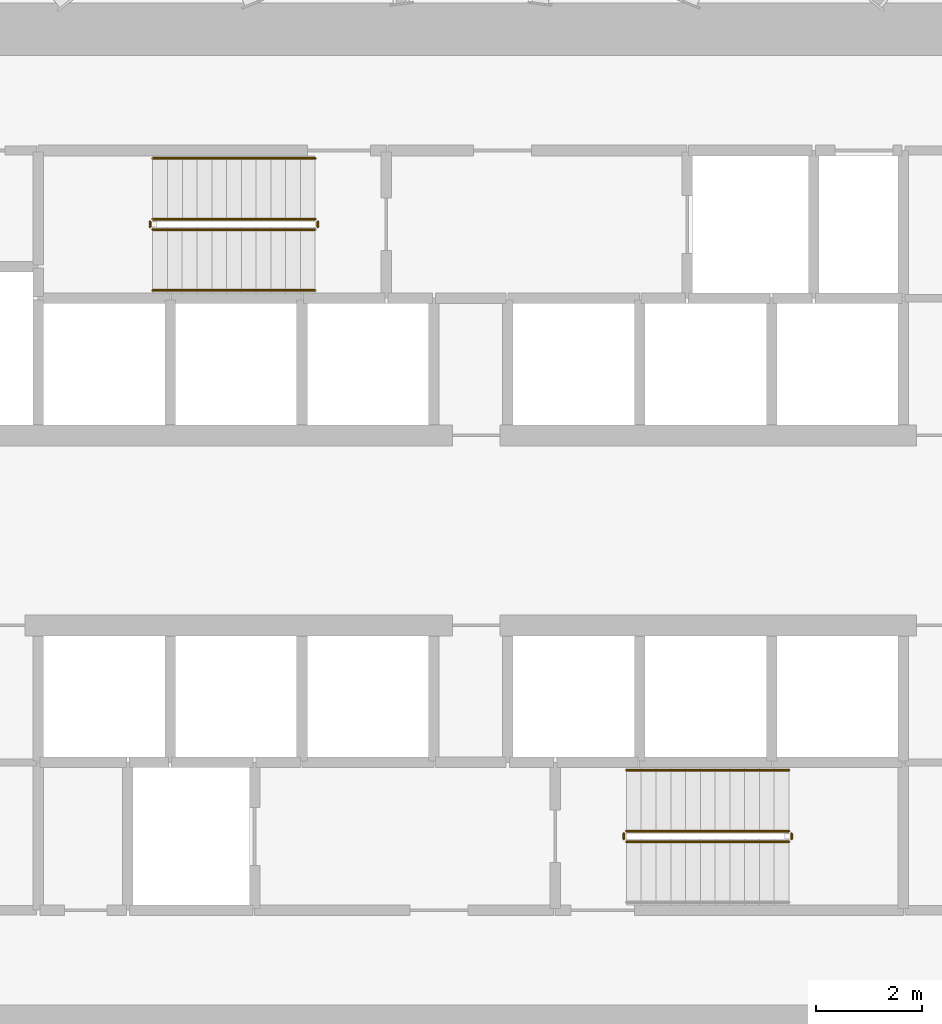
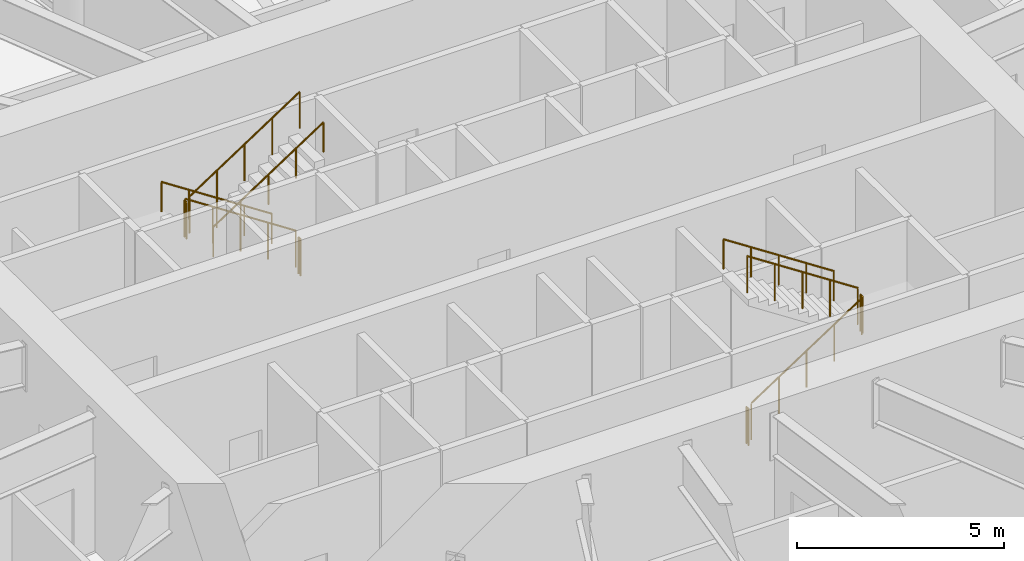
# One storey, part 41 of 42: 11 railings.
"""IFC4 building model written with IfcOpenShell, lengths in metres."""

from ifc_helpers import new_model, si_unit, direction, frame, origin, origin_2d, place, context, subcontext, project, spatial, circle, extrude, material, type_object, element, save


model = new_model("IFC4")

# Units and contexts
model_context = context("Model", 3, precision=1e-05, world=origin(), true_north=direction((0.0, 1.0)))
body_context = subcontext(model_context, "Body", "Model", "MODEL_VIEW")
ifc_project = project(units=[si_unit("LENGTHUNIT", "METRE"), si_unit("AREAUNIT", "SQUARE_METRE"), si_unit("VOLUMEUNIT", "CUBIC_METRE"), si_unit("PLANEANGLEUNIT", "RADIAN"), si_unit("MASSUNIT", "GRAM", prefix="KILO")], contexts=[model_context])

# Site, building, storey
site_placement = place(None, origin())
site = spatial("IfcSite", under=ifc_project, at=site_placement, CompositionType="ELEMENT")
building_placement = place(site_placement, origin())
building = spatial("IfcBuilding", under=site, at=building_placement, Name="Spindrift Exchange Tower", CompositionType="ELEMENT")
storey_placement = place(building_placement, frame((0.0, 0.0, 75.39990234375)))
storey = spatial("IfcBuildingStorey", under=building, at=storey_placement, Name="L17", CompositionType="ELEMENT", Elevation=75.39990234375)

# Railings
ifc_material_1 = material(Name="Steel balustrade", Category="steel")
railing_type_1 = type_object("IfcRailingType", Name="RL-STAIR-GUARD", PredefinedType="GUARDRAIL", material=ifc_material_1)
railing_1_placement = place(storey_placement, frame((49.050048828125, 53.89990234375, 0.183349609375)))
element("IfcRailing", 1, at=railing_1_placement, inside=storey, type_object=railing_type_1, Name="L17 ST1 stair guard 1", PredefinedType="GUARDRAIL", context=body_context, shape_type="SweptSolid", body=[
    extrude(circle(Radius=0.02392578125, at=origin_2d()), frame((0.0, 0.0, 1.076171875), z_axis=(-0.836602609513, 0.0, 0.547810253423), x_axis=(0.0, -1.0, 0.0)), (0.0, 0.0, 1.0), 3.681640625),
    extrude(circle(Radius=0.02099609375, at=origin_2d()), origin(), (0.0, 0.0, 1.0), 1.052001953125),
    extrude(circle(Radius=0.02099609375, at=origin_2d()), frame((-0.77001953125, 0.0, 0.504150390625)), (0.0, 0.0, 1.0), 1.052001953125),
    extrude(circle(Radius=0.02099609375, at=origin_2d()), frame((-1.5400390625, 0.0, 1.00830078125)), (0.0, 0.0, 1.0), 1.052001953125),
    extrude(circle(Radius=0.02099609375, at=origin_2d()), frame((-2.31005859375, 0.0, 1.5126953125)), (0.0, 0.0, 1.0), 1.052001953125),
    extrude(circle(Radius=0.02099609375, at=origin_2d()), frame((-3.080078125, 0.0, 2.016845703125)), (0.0, 0.0, 1.0), 1.052001953125),
])
railing_2_placement = place(storey_placement, frame((45.919921875, 53.85009765625, 2.2001953125)))
element("IfcRailing", 2, at=railing_2_placement, inside=storey, type_object=railing_type_1, Name="L17 ST1 stair guard 2", PredefinedType="GUARDRAIL", context=body_context, shape_type="SweptSolid", body=[
    extrude(circle(Radius=0.02392578125, at=origin_2d()), frame((0.0, 0.0, 1.076171875), z_axis=(0.0, -1.0, 0.0), x_axis=(1.0, 0.0, 0.0)), (0.0, 0.0, 1.0), 0.10009765625),
    extrude(circle(Radius=0.02099609375, at=origin_2d()), origin(), (0.0, 0.0, 1.0), 1.052001953125),
    extrude(circle(Radius=0.02099609375, at=origin_2d()), frame((0.0, -0.10009765625, 0.0)), (0.0, 0.0, 1.0), 1.052001953125),
])
railing_3_placement = place(storey_placement, frame((45.969970703125, 53.699951171875, 2.383544921875)))
element("IfcRailing", 3, at=railing_3_placement, inside=storey, type_object=railing_type_1, Name="L17 ST1 stair guard 3", PredefinedType="GUARDRAIL", context=body_context, shape_type="SweptSolid", body=[
    extrude(circle(Radius=0.02392578125, at=origin_2d()), frame((0.0, 0.0, 1.076171875), z_axis=(0.836633000464, 0.0, 0.547763838287), x_axis=(0.0, 1.0, 0.0)), (0.0, 0.0, 1.0), 3.681396484375),
    extrude(circle(Radius=0.02099609375, at=origin_2d()), origin(), (0.0, 0.0, 1.0), 1.052001953125),
    extrude(circle(Radius=0.02099609375, at=origin_2d()), frame((0.77001953125, 0.0, 0.504150390625)), (0.0, 0.0, 1.0), 1.052001953125),
    extrude(circle(Radius=0.02099609375, at=origin_2d()), frame((1.5400390625, 0.0, 1.00830078125)), (0.0, 0.0, 1.0), 1.052001953125),
    extrude(circle(Radius=0.02099609375, at=origin_2d()), frame((2.31005859375, 0.0, 1.512451171875)), (0.0, 0.0, 1.0), 1.052001953125),
    extrude(circle(Radius=0.02099609375, at=origin_2d()), frame((3.080078125, 0.0, 2.0166015625)), (0.0, 0.0, 1.0), 1.052001953125),
])
railing_4_placement = place(storey_placement, frame((49.10009765625, 53.85009765625, 0.0)))
element("IfcRailing", 4, at=railing_4_placement, inside=storey, type_object=railing_type_1, Name="L17 ST1 stair guard 4", PredefinedType="GUARDRAIL", context=body_context, shape_type="SweptSolid", body=[
    extrude(circle(Radius=0.02392578125, at=origin_2d()), frame((0.0, 0.0, 1.076171875), z_axis=(0.0, -1.0, 0.0), x_axis=(1.0, 0.0, 0.0)), (0.0, 0.0, 1.0), 0.10009765625),
    extrude(circle(Radius=0.02099609375, at=origin_2d()), origin(), (0.0, 0.0, 1.0), 1.052001953125),
    extrude(circle(Radius=0.02099609375, at=origin_2d()), frame((0.0, -0.10009765625, 0.0)), (0.0, 0.0, 1.0), 1.052001953125),
])
railing_5_placement = place(storey_placement, frame((54.949951171875, 42.10009765625, 0.183349609375)))
element("IfcRailing", 5, at=railing_5_placement, inside=storey, type_object=railing_type_1, Name="L17 ST2 stair guard 1", PredefinedType="GUARDRAIL", context=body_context, shape_type="SweptSolid", body=[
    extrude(circle(Radius=0.02392578125, at=origin_2d()), frame((0.0, 0.0, 1.076171875), z_axis=(0.836602609513, 0.0, 0.547810253423), x_axis=(0.0, 1.0, 0.0)), (0.0, 0.0, 1.0), 3.681640625),
    extrude(circle(Radius=0.02099609375, at=origin_2d()), origin(), (0.0, 0.0, 1.0), 1.052001953125),
    extrude(circle(Radius=0.02099609375, at=origin_2d()), frame((0.77001953125, 0.0, 0.504150390625)), (0.0, 0.0, 1.0), 1.052001953125),
    extrude(circle(Radius=0.02099609375, at=origin_2d()), frame((1.5400390625, 0.0, 1.00830078125)), (0.0, 0.0, 1.0), 1.052001953125),
    extrude(circle(Radius=0.02099609375, at=origin_2d()), frame((2.31005859375, 0.0, 1.5126953125)), (0.0, 0.0, 1.0), 1.052001953125),
    extrude(circle(Radius=0.02099609375, at=origin_2d()), frame((3.080078125, 0.0, 2.016845703125)), (0.0, 0.0, 1.0), 1.052001953125),
])
railing_6_placement = place(storey_placement, frame((58.080078125, 42.14990234375, 2.2001953125)))
element("IfcRailing", 6, at=railing_6_placement, inside=storey, type_object=railing_type_1, Name="L17 ST2 stair guard 2", PredefinedType="GUARDRAIL", context=body_context, shape_type="SweptSolid", body=[
    extrude(circle(Radius=0.02392578125, at=origin_2d()), frame((0.0, 0.0, 1.076171875), z_axis=(0.0, 1.0, 0.0), x_axis=(-1.0, 0.0, 0.0)), (0.0, 0.0, 1.0), 0.10009765625),
    extrude(circle(Radius=0.02099609375, at=origin_2d()), origin(), (0.0, 0.0, 1.0), 1.052001953125),
    extrude(circle(Radius=0.02099609375, at=origin_2d()), frame((0.0, 0.10009765625, 0.0)), (0.0, 0.0, 1.0), 1.052001953125),
])
railing_7_placement = place(storey_placement, frame((58.030029296875, 42.300048828125, 2.383544921875)))
element("IfcRailing", 7, at=railing_7_placement, inside=storey, type_object=railing_type_1, Name="L17 ST2 stair guard 3", PredefinedType="GUARDRAIL", context=body_context, shape_type="SweptSolid", body=[
    extrude(circle(Radius=0.02392578125, at=origin_2d()), frame((0.0, 0.0, 1.076171875), z_axis=(-0.836633000464, 0.0, 0.547763838287), x_axis=(0.0, -1.0, 0.0)), (0.0, 0.0, 1.0), 3.681396484375),
    extrude(circle(Radius=0.02099609375, at=origin_2d()), origin(), (0.0, 0.0, 1.0), 1.052001953125),
    extrude(circle(Radius=0.02099609375, at=origin_2d()), frame((-0.77001953125, 0.0, 0.504150390625)), (0.0, 0.0, 1.0), 1.052001953125),
    extrude(circle(Radius=0.02099609375, at=origin_2d()), frame((-1.5400390625, 0.0, 1.00830078125)), (0.0, 0.0, 1.0), 1.052001953125),
    extrude(circle(Radius=0.02099609375, at=origin_2d()), frame((-2.31005859375, 0.0, 1.512451171875)), (0.0, 0.0, 1.0), 1.052001953125),
    extrude(circle(Radius=0.02099609375, at=origin_2d()), frame((-3.080078125, 0.0, 2.0166015625)), (0.0, 0.0, 1.0), 1.052001953125),
])
railing_8_placement = place(storey_placement, frame((54.89990234375, 42.14990234375, 0.0)))
element("IfcRailing", 8, at=railing_8_placement, inside=storey, type_object=railing_type_1, Name="L17 ST2 stair guard 4", PredefinedType="GUARDRAIL", context=body_context, shape_type="SweptSolid", body=[
    extrude(circle(Radius=0.02392578125, at=origin_2d()), frame((0.0, 0.0, 1.076171875), z_axis=(0.0, 1.0, 0.0), x_axis=(-1.0, 0.0, 0.0)), (0.0, 0.0, 1.0), 0.10009765625),
    extrude(circle(Radius=0.02099609375, at=origin_2d()), origin(), (0.0, 0.0, 1.0), 1.052001953125),
    extrude(circle(Radius=0.02099609375, at=origin_2d()), frame((0.0, 0.10009765625, 0.0)), (0.0, 0.0, 1.0), 1.052001953125),
])
ifc_material_2 = material(Name="Steel tubular handrail", Category="steel")
railing_type_2 = type_object("IfcRailingType", Name="RL-STAIR-HAND", PredefinedType="HANDRAIL", material=ifc_material_2)
railing_9_placement = place(storey_placement, frame((49.050048828125, 55.050048828125, 0.183349609375)))
element("IfcRailing", 9, at=railing_9_placement, inside=storey, type_object=railing_type_2, Name="L17 ST1 stair handrail 1", PredefinedType="HANDRAIL", context=body_context, shape_type="SweptSolid", body=[
    extrude(circle(Radius=0.02392578125, at=origin_2d()), frame((0.0, 0.0, 0.8759765625), z_axis=(-0.836602609513, 0.0, 0.547810253423), x_axis=(0.0, -1.0, 0.0)), (0.0, 0.0, 1.0), 3.681640625),
    extrude(circle(Radius=0.02099609375, at=origin_2d()), origin(), (0.0, 0.0, 1.0), 0.851806640625),
    extrude(circle(Radius=0.02099609375, at=origin_2d()), frame((-0.77001953125, 0.0, 0.504150390625)), (0.0, 0.0, 1.0), 0.851806640625),
    extrude(circle(Radius=0.02099609375, at=origin_2d()), frame((-1.5400390625, 0.0, 1.00830078125)), (0.0, 0.0, 1.0), 0.851806640625),
    extrude(circle(Radius=0.02099609375, at=origin_2d()), frame((-2.31005859375, 0.0, 1.5126953125)), (0.0, 0.0, 1.0), 0.851806640625),
    extrude(circle(Radius=0.02099609375, at=origin_2d()), frame((-3.080078125, 0.0, 2.016845703125)), (0.0, 0.0, 1.0), 0.851806640625),
])
railing_10_placement = place(storey_placement, frame((45.969970703125, 52.550048828125, 2.383544921875)))
element("IfcRailing", 10, at=railing_10_placement, inside=storey, type_object=railing_type_2, Name="L17 ST1 stair handrail 2", PredefinedType="HANDRAIL", context=body_context, shape_type="SweptSolid", body=[
    extrude(circle(Radius=0.02392578125, at=origin_2d()), frame((0.0, 0.0, 0.8759765625), z_axis=(0.836633000464, 0.0, 0.547763838287), x_axis=(0.0, 1.0, 0.0)), (0.0, 0.0, 1.0), 3.681396484375),
    extrude(circle(Radius=0.02099609375, at=origin_2d()), origin(), (0.0, 0.0, 1.0), 0.851806640625),
    extrude(circle(Radius=0.02099609375, at=origin_2d()), frame((0.77001953125, 0.0, 0.504150390625)), (0.0, 0.0, 1.0), 0.851806640625),
    extrude(circle(Radius=0.02099609375, at=origin_2d()), frame((1.5400390625, 0.0, 1.00830078125)), (0.0, 0.0, 1.0), 0.851806640625),
    extrude(circle(Radius=0.02099609375, at=origin_2d()), frame((2.31005859375, 0.0, 1.512451171875)), (0.0, 0.0, 1.0), 0.851806640625),
    extrude(circle(Radius=0.02099609375, at=origin_2d()), frame((3.080078125, 0.0, 2.0166015625)), (0.0, 0.0, 1.0), 0.851806640625),
])
railing_11_placement = place(storey_placement, frame((58.030029296875, 43.449951171875, 2.383544921875)))
element("IfcRailing", 11, at=railing_11_placement, inside=storey, type_object=railing_type_2, Name="L17 ST2 stair handrail 2", PredefinedType="HANDRAIL", context=body_context, shape_type="SweptSolid", body=[
    extrude(circle(Radius=0.02392578125, at=origin_2d()), frame((0.0, 0.0, 0.8759765625), z_axis=(-0.836633000464, 0.0, 0.547763838287), x_axis=(0.0, -1.0, 0.0)), (0.0, 0.0, 1.0), 3.681396484375),
    extrude(circle(Radius=0.02099609375, at=origin_2d()), origin(), (0.0, 0.0, 1.0), 0.851806640625),
    extrude(circle(Radius=0.02099609375, at=origin_2d()), frame((-0.77001953125, 0.0, 0.504150390625)), (0.0, 0.0, 1.0), 0.851806640625),
    extrude(circle(Radius=0.02099609375, at=origin_2d()), frame((-1.5400390625, 0.0, 1.00830078125)), (0.0, 0.0, 1.0), 0.851806640625),
    extrude(circle(Radius=0.02099609375, at=origin_2d()), frame((-2.31005859375, 0.0, 1.512451171875)), (0.0, 0.0, 1.0), 0.851806640625),
    extrude(circle(Radius=0.02099609375, at=origin_2d()), frame((-3.080078125, 0.0, 2.0166015625)), (0.0, 0.0, 1.0), 0.851806640625),
])

save(model, "model.ifc")
